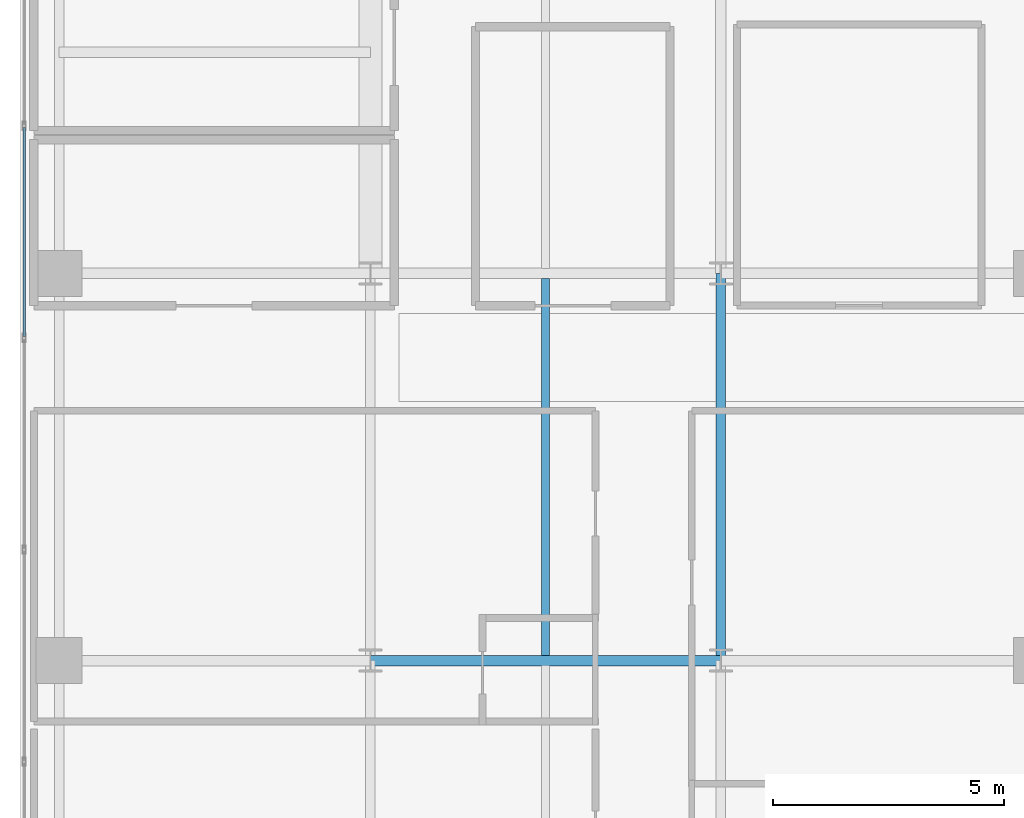
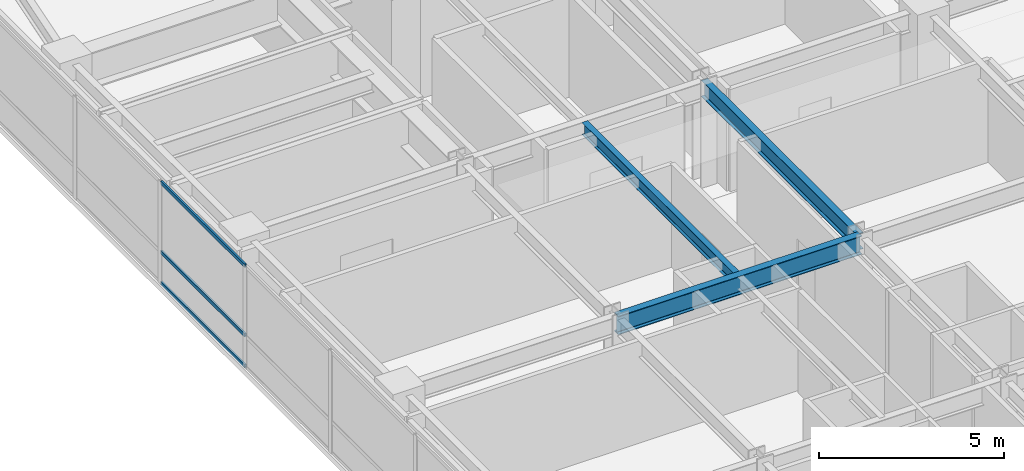
# One storey, part 9 of 37: 3 beams, 3 members, 1 element without a shape of its own.
"""IFC4 building model written with IfcOpenShell, lengths in metres."""

import ifcopenshell
import ifcopenshell.guid

model = None  # the IFC model being written
_history = None  # IfcOwnerHistory: only IFC2X3 demands one
_inside = {}  # id of a spatial element -> (the spatial element, [elements in it])
_under = {}  # id of a project, library or spatial element -> (it, [spatial elements below it])
_declared = {}  # id of a project -> (the project, [libraries it declares])
_typed = {}  # id of a type object -> (the type object, [elements of that type])
_made_of = {}  # id of a material, layer set ... -> (it, [elements and type objects made of it])


def new_model(schema):
    """Start an empty IFC model of exactly this schema.

    Asked for "IFC4X3", IfcOpenShell would pick the latest addendum, in which some entities
    have other attributes; the version numbers below select the first issue.
    IFC2X3 requires an IfcOwnerHistory on every rooted entity: one is made here for all.
    """
    global model, _history
    if schema == "IFC4X3":
        model = ifcopenshell.file(schema_version=(4, 3, 0, 0))
    else:
        model = ifcopenshell.file(schema=schema)
    _inside.clear()
    _under.clear()
    _declared.clear()
    _typed.clear()
    _made_of.clear()
    _history = None
    if model.schema == "IFC2X3":
        org = make("IfcOrganization", Name="unknown")
        user = make(
            "IfcPersonAndOrganization",
            ThePerson=make("IfcPerson", FamilyName="unknown"),
            TheOrganization=org,
        )
        app = make(
            "IfcApplication",
            ApplicationDeveloper=org,
            Version="unknown",
            ApplicationFullName="unknown",
            ApplicationIdentifier="unknown",
        )
        _history = make(
            "IfcOwnerHistory",
            OwningUser=user,
            OwningApplication=app,
            ChangeAction="ADDED",
            CreationDate=0,
        )
    return model


def make(cls, **values):
    """One entity of the class cls with the attributes given. An attribute that is None is left unset."""
    return model.create_entity(
        cls, **{name: value for name, value in values.items() if value is not None}
    )


def rooted(cls, **values):
    """An entity with a GlobalId (a new one), such as an element, a storey or a relation."""
    return make(cls, GlobalId=ifcopenshell.guid.new(), OwnerHistory=_history, **values)


def si_unit(unit_type, name, prefix=None):
    """IfcSIUnit, for example si_unit("LENGTHUNIT", "METRE", prefix="MILLI")."""
    return make("IfcSIUnit", UnitType=unit_type, Prefix=prefix, Name=name)


def assignment(units):
    """IfcUnitAssignment: the units of a project."""
    return None if units is None else make("IfcUnitAssignment", Units=units)


def point(xyz):
    """IfcCartesianPoint."""
    return None if xyz is None else make("IfcCartesianPoint", Coordinates=xyz)


def direction(xyz):
    """IfcDirection."""
    return None if xyz is None else make("IfcDirection", DirectionRatios=xyz)


def frame(location, z_axis=None, x_axis=None):
    """IfcAxis2Placement3D, a coordinate frame: its origin and axes. An axis left out is left unset."""
    return make(
        "IfcAxis2Placement3D",
        Location=point(location),
        Axis=direction(z_axis),
        RefDirection=direction(x_axis),
    )


def frame_2d(location, x_axis=None):
    """IfcAxis2Placement2D, a coordinate frame in the plane: its origin and x axis."""
    return make(
        "IfcAxis2Placement2D", Location=point(location), RefDirection=direction(x_axis)
    )


def origin():
    """The frame at (0, 0, 0) with its axes left unset."""
    return frame((0.0, 0.0, 0.0))


def origin_2d():
    """The frame at (0, 0) in the plane with its x axis left unset."""
    return frame_2d((0.0, 0.0))


def place(relative_to, where):
    """IfcLocalPlacement: puts the frame where relative to a parent placement (None: the world)."""
    return make(
        "IfcLocalPlacement", PlacementRelTo=relative_to, RelativePlacement=where
    )


def context(
    kind, dimensions, precision=None, world=None, true_north=None, identifier=None
):
    """IfcGeometricRepresentationContext, for example the 3D "Model" context."""
    return make(
        "IfcGeometricRepresentationContext",
        ContextIdentifier=identifier,
        ContextType=kind,
        CoordinateSpaceDimension=dimensions,
        Precision=precision,
        WorldCoordinateSystem=world,
        TrueNorth=true_north,
    )


def subcontext(parent, identifier, kind, view, scale=None):
    """IfcGeometricRepresentationSubContext, for example "Body" below "Model"."""
    return make(
        "IfcGeometricRepresentationSubContext",
        ContextIdentifier=identifier,
        ContextType=kind,
        ParentContext=parent,
        TargetScale=scale,
        TargetView=view,
    )


def project(units=None, contexts=None):
    """IfcProject with its units and contexts."""
    return rooted(
        "IfcProject",
        Name="project",
        RepresentationContexts=contexts,
        UnitsInContext=assignment(units),
    )


def spatial(cls, under=None, at=None, **own):
    """A site, building, storey or space (cls), placed at a placement, below another one or the project."""
    s = rooted(cls, ObjectPlacement=at, **own)
    if under is not None:
        _under.setdefault(under.id(), (under, []))[1].append(s)
    return s


def profile(cls, at=None, kind="AREA", **sizes):
    """A parametric profile (cls). Its sizes go by their IFC names, for example OverallWidth=200.0."""
    return make(cls, ProfileType=kind, Position=at, **sizes)


def hollow_rectangle(**sizes):
    """IfcRectangleHollowProfileDef."""
    return profile("IfcRectangleHollowProfileDef", **sizes)


def i_section(**sizes):
    """IfcIShapeProfileDef."""
    return profile("IfcIShapeProfileDef", **sizes)


def extrude(swept, where, along, depth):
    """IfcExtrudedAreaSolid: the profile swept, set in the frame where, extruded along a direction by depth."""
    return make(
        "IfcExtrudedAreaSolid",
        SweptArea=swept,
        Position=where,
        ExtrudedDirection=direction(along),
        Depth=depth,
    )


def shape(context_of_items, identifier, shape_type, items):
    """IfcShapeRepresentation: the items that make up one representation, for example the "Body"."""
    return make(
        "IfcShapeRepresentation",
        ContextOfItems=context_of_items,
        RepresentationIdentifier=identifier,
        RepresentationType=shape_type,
        Items=items,
    )


def source(mapping_origin, context_of_items, identifier, shape_type, items):
    """IfcRepresentationMap: a shape defined once, which mapped items show again and again."""
    return make(
        "IfcRepresentationMap",
        MappingOrigin=mapping_origin,
        MappedRepresentation=shape(context_of_items, identifier, shape_type, items),
    )


def transform(
    local_origin,
    x_axis=None,
    y_axis=None,
    z_axis=None,
    scale=None,
    scale2=None,
    scale3=None,
    uniform=True,
):
    """IfcCartesianTransformationOperator3D, or its non-uniform kind. x_axis, y_axis, z_axis: its Axis1, 2, 3."""
    if uniform:
        return make(
            "IfcCartesianTransformationOperator3D",
            Axis1=direction(x_axis),
            Axis2=direction(y_axis),
            LocalOrigin=point(local_origin),
            Scale=scale,
            Axis3=direction(z_axis),
        )
    return make(
        "IfcCartesianTransformationOperator3DnonUniform",
        Axis1=direction(x_axis),
        Axis2=direction(y_axis),
        LocalOrigin=point(local_origin),
        Scale=scale,
        Axis3=direction(z_axis),
        Scale2=scale2,
        Scale3=scale3,
    )


def mapped(mapping_source, mapping_target):
    """IfcMappedItem: shows the shape of a source again, moved by a transform."""
    return make(
        "IfcMappedItem", MappingSource=mapping_source, MappingTarget=mapping_target
    )


def material(Name=None, Category=None):
    """IfcMaterial."""
    return make("IfcMaterial", Name=Name, Category=Category)


def layer(
    of_material, thickness, ventilated=None, Name=None, Category=None, Priority=None
):
    """IfcMaterialLayer: one layer of a wall or slab, of a material (None: an air gap)."""
    return make(
        "IfcMaterialLayer",
        Material=of_material,
        LayerThickness=thickness,
        IsVentilated=ventilated,
        Name=Name,
        Category=Category,
        Priority=Priority,
    )


def layer_set(layers, Name=None):
    """IfcMaterialLayerSet."""
    return make("IfcMaterialLayerSet", MaterialLayers=layers, LayerSetName=Name)


def material_profile(
    of_material, cross_section, Name=None, Category=None, Priority=None
):
    """IfcMaterialProfile: a cross section and its material."""
    return make(
        "IfcMaterialProfile",
        Name=Name,
        Material=of_material,
        Profile=cross_section,
        Priority=Priority,
        Category=Category,
    )


def profile_set(profiles, Name=None, composite=None):
    """IfcMaterialProfileSet."""
    return make(
        "IfcMaterialProfileSet",
        Name=Name,
        MaterialProfiles=profiles,
        CompositeProfile=composite,
    )


def made_of(thing, what):
    """Note that an element or type object is made of a material, layer set ...; save() writes the relation."""
    if what is not None:
        _made_of.setdefault(what.id(), (what, []))[1].append(thing)
    return thing


def type_object(cls, material=None, **own):
    """A type object (cls), such as IfcWallType, which elements share."""
    return made_of(rooted(cls, **own), material)


def type_shapes(of_type, sources):
    """Give a type object the sources (RepresentationMaps) that its elements show as mapped items."""
    of_type.RepresentationMaps = sources


def element(
    cls,
    number,
    at=None,
    inside=None,
    cuts=None,
    type_object=None,
    material=None,
    context=None,
    identifier="Body",
    shape_type=None,
    held_by="IfcProductDefinitionShape",
    body=None,
    shapes=None,
    **own,
):
    """One element of the class cls, such as IfcWall. Its Tag is "e" and its number.

    at: its placement. inside: the storey or other place that contains it. cuts: it is an
    opening in that element (IfcRelVoidsElement). A single representation is given by context,
    identifier, shape_type and body (its items); several are given by shapes. held_by: the class
    of the entity that holds the representations. save() writes the other relations.
    """
    e = rooted(cls, Tag="e%d" % number, ObjectPlacement=at, **own)
    if body is not None:
        shapes = [shape(context, identifier, shape_type, body)]
    if shapes is not None:
        e.Representation = make(held_by, Representations=shapes)
    if inside is not None:
        _inside.setdefault(inside.id(), (inside, []))[1].append(e)
    if cuts is not None:
        rooted(
            "IfcRelVoidsElement", RelatingBuildingElement=cuts, RelatedOpeningElement=e
        )
    if type_object is not None:
        _typed.setdefault(type_object.id(), (type_object, []))[1].append(e)
    return made_of(e, material)


def aggregate(whole, parts):
    """IfcRelAggregates: a whole, such as a stair, and the parts it consists of."""
    return rooted("IfcRelAggregates", RelatingObject=whole, RelatedObjects=parts)


def save(model, path):
    """Write the relations noted so far, then the file.

    IfcRelAggregates (storeys below a building ...), IfcRelContainedInSpatialStructure (elements
    in a storey), IfcRelDefinesByType, IfcRelAssociatesMaterial and IfcRelDeclares: one each for
    every whole, place, type object, material and project.
    """
    for whole, parts in _under.values():
        aggregate(whole, parts)
    for where, things in _inside.values():
        rooted(
            "IfcRelContainedInSpatialStructure",
            RelatedElements=things,
            RelatingStructure=where,
        )
    for kind, things in _typed.values():
        rooted("IfcRelDefinesByType", RelatedObjects=things, RelatingType=kind)
    for what, things in _made_of.values():
        rooted("IfcRelAssociatesMaterial", RelatedObjects=things, RelatingMaterial=what)
    for by, libraries in _declared.values():
        rooted("IfcRelDeclares", RelatingContext=by, RelatedDefinitions=libraries)
    model.write(path)


model = new_model("IFC4")

# Units and contexts
model_context = context("Model", 3, precision=1e-05, world=origin(), true_north=direction((0.0, 1.0)))
body_context = subcontext(model_context, "Body", "Model", "MODEL_VIEW")
ifc_project = project(units=[si_unit("LENGTHUNIT", "METRE"), si_unit("AREAUNIT", "SQUARE_METRE"), si_unit("VOLUMEUNIT", "CUBIC_METRE"), si_unit("PLANEANGLEUNIT", "RADIAN"), si_unit("MASSUNIT", "GRAM", prefix="KILO")], contexts=[model_context])

# Site, building, storey
site_placement = place(None, origin())
site = spatial("IfcSite", under=ifc_project, at=site_placement, CompositionType="ELEMENT")
building_placement = place(site_placement, origin())
building = spatial("IfcBuilding", under=site, at=building_placement, Name="Tolvann Quenvar Hotel", CompositionType="ELEMENT")
storey_placement = place(building_placement, frame((0.0, 0.0, 53.300048828125)))
storey = spatial("IfcBuildingStorey", under=building, at=storey_placement, Name="L12", CompositionType="ELEMENT", Elevation=53.300048828125)

# Beams
ifc_material_1 = material(Name="Steel Grade 350", Category="steel")
ifc_material_profile_1 = material_profile(ifc_material_1, i_section(OverallWidth=0.22900390625, OverallDepth=0.612060546875, WebThickness=0.011962890625, FlangeThickness=0.01953125, FilletRadius=0.013916015625, at=origin_2d()), Name="610UB125")
ifc_profile_set_1 = profile_set([ifc_material_profile_1], Name="Steel Grade 350")
beam_type_1 = type_object("IfcBeamType", Name="BM_GIRD_610UB125", PredefinedType="BEAM", material=ifc_profile_set_1)
shared_shape_1 = source(origin(), body_context, "Body", "SweptSolid", [
    extrude(i_section(OverallWidth=0.22900390625, OverallDepth=0.612060546875, WebThickness=0.011962890625, FlangeThickness=0.01953125, FilletRadius=0.013916015625, at=origin_2d()), origin(), (0.0, 0.0, 1.0), 7.599853515625),
])
type_shapes(beam_type_1, [shared_shape_1])
beam_1_placement = place(storey_placement, frame((7.60009765625, 16.0, 3.06396484375), z_axis=(1.0, 0.0, 0.0), x_axis=(0.0, 1.0, 0.0)))
element("IfcBeam", 1, at=beam_1_placement, inside=storey, type_object=beam_type_1, Name="BM-L12-EW-4-C4-D4", PredefinedType="BEAM", context=body_context, shape_type="MappedRepresentation", body=[
    mapped(shared_shape_1, transform((0.0, 0.0, 0.0), x_axis=(1.0, 0.0, 0.0), y_axis=(0.0, 1.0, 0.0), z_axis=(0.0, 0.0, 1.0), scale=1.0)),
])
ifc_material_profile_2 = material_profile(ifc_material_1, i_section(OverallWidth=0.208984375, OverallDepth=0.532958984375, WebThickness=0.01025390625, FlangeThickness=0.015625, FilletRadius=0.013916015625, at=origin_2d()), Name="530UB92")
ifc_profile_set_2 = profile_set([ifc_material_profile_2], Name="Steel Grade 350")
beam_type_2 = type_object("IfcBeamType", Name="BM_GIRD_530UB92", PredefinedType="BEAM", material=ifc_profile_set_2)
shared_shape_2 = source(origin(), body_context, "Body", "SweptSolid", [
    extrude(i_section(OverallWidth=0.208984375, OverallDepth=0.532958984375, WebThickness=0.01025390625, FlangeThickness=0.015625, FilletRadius=0.013916015625, at=origin_2d()), origin(), (0.0, 0.0, 1.0), 8.39990234375),
])
type_shapes(beam_type_2, [shared_shape_2])
beam_2_placement = place(storey_placement, frame((15.199951171875, 16.0, 3.103515625), z_axis=(0.0, 1.0, 0.0), x_axis=(-1.0, 0.0, 0.0)))
element("IfcBeam", 2, at=beam_2_placement, inside=storey, type_object=beam_type_2, Name="BM-L12-NS-D4-D5", PredefinedType="BEAM", context=body_context, shape_type="MappedRepresentation", body=[
    mapped(shared_shape_2, transform((0.0, 0.0, 0.0), x_axis=(1.0, 0.0, 0.0), y_axis=(0.0, 1.0, 0.0), z_axis=(0.0, 0.0, 1.0), scale=1.0)),
])
ifc_material_profile_3 = material_profile(ifc_material_1, i_section(OverallWidth=0.177978515625, OverallDepth=0.406005859375, WebThickness=0.0078125, FlangeThickness=0.0126953125, FilletRadius=0.011474609375, at=origin_2d()), Name="410UB60")
ifc_profile_set_3 = profile_set([ifc_material_profile_3], Name="Steel Grade 350")
beam_type_3 = type_object("IfcBeamType", Name="BM_JOIST_410UB60", PredefinedType="JOIST", material=ifc_profile_set_3)
shared_shape_3 = source(origin(), body_context, "Body", "SweptSolid", [
    extrude(i_section(OverallWidth=0.177978515625, OverallDepth=0.406005859375, WebThickness=0.0078125, FlangeThickness=0.0126953125, FilletRadius=0.011474609375, at=origin_2d()), origin(), (0.0, 0.0, 1.0), 8.18310546875),
])
type_shapes(beam_type_3, [shared_shape_3])
beam_3_placement = place(storey_placement, frame((11.39990234375, 16.1083984375, 3.1669921875), z_axis=(0.0, 1.0, 0.0), x_axis=(-1.0, 0.0, 0.0)))
element("IfcBeam", 3, at=beam_3_placement, inside=storey, type_object=beam_type_3, Name="BJ-L12-114-160", PredefinedType="JOIST", context=body_context, shape_type="MappedRepresentation", body=[
    mapped(shared_shape_3, transform((0.0, 0.0, 0.0), x_axis=(1.0, 0.0, 0.0), y_axis=(0.0, 1.0, 0.0), z_axis=(0.0, 0.0, 1.0), scale=1.0)),
])

# Curtain wall, members
ifc_material_2 = material(Name="Thermally broken anodised architectural aluminium 6063-T6 and laminated low-E glass", Category="aluminium")
ifc_layer = layer(ifc_material_2, 0.179931640625)
ifc_layer_set = layer_set([ifc_layer], Name="Thermally broken anodised architectural aluminium 6063-T6 and laminated low-E glass")
curtain_wall_type = type_object("IfcCurtainWallType", Name="CW_SYS_BAND_04", PredefinedType="USERDEFINED", material=ifc_layer_set)
curtain_wall_placement = place(storey_placement, origin())
curtain_wall = element("IfcCurtainWall", 4, at=curtain_wall_placement, inside=storey, type_object=curtain_wall_type, Name="Curtain Wall CW-BAND-04 (CWR-L12-E23)", ObjectType="UNITISED CURTAIN WALL", PredefinedType="USERDEFINED")
ifc_material_3 = material(Name="Anodised architectural aluminium 6063-T6 framing", Category="aluminium")
ifc_material_profile_4 = material_profile(ifc_material_3, hollow_rectangle(XDim=0.06005859375, YDim=0.1201171875, WallThickness=0.00341796875, at=origin_2d()), Name="120x60x3.5RHS")
ifc_profile_set_4 = profile_set([ifc_material_profile_4], Name="Anodised architectural aluminium 6063-T6 framing")
member_type = type_object("IfcMemberType", Name="CW_TRAN_120x60", PredefinedType="USERDEFINED", material=ifc_profile_set_4)
shared_shape_4 = source(origin(), body_context, "Body", "SweptSolid", [
    extrude(hollow_rectangle(XDim=0.06005859375, YDim=0.1201171875, WallThickness=0.00341796875, at=origin_2d()), origin(), (0.0, 0.0, 1.0), 4.52587890625),
])
type_shapes(member_type, [shared_shape_4])
member_1_placement = place(storey_placement, frame((0.090087890625, 27.560791015625, 0.030029296875), z_axis=(0.0, -1.0, 0.0), x_axis=(1.0, 0.0, 0.0)))
member_1 = element("IfcMember", 5, at=member_1_placement, type_object=member_type, Name="CW-BAND-04 transom 4.1", ObjectType="TRANSOM", PredefinedType="USERDEFINED", context=body_context, shape_type="MappedRepresentation", body=[
    mapped(shared_shape_4, transform((0.0, 0.0, 0.0), x_axis=(1.0, 0.0, 0.0), y_axis=(0.0, 1.0, 0.0), z_axis=(0.0, 0.0, 1.0), scale=1.0)),
])
member_2_placement = place(storey_placement, frame((0.090087890625, 27.560791015625, 1.050048828125), z_axis=(0.0, -1.0, 0.0), x_axis=(1.0, 0.0, 0.0)))
member_2 = element("IfcMember", 6, at=member_2_placement, type_object=member_type, Name="CW-BAND-04 transom 4.2", ObjectType="TRANSOM", PredefinedType="USERDEFINED", context=body_context, shape_type="MappedRepresentation", body=[
    mapped(shared_shape_4, transform((0.0, 0.0, 0.0), x_axis=(1.0, 0.0, 0.0), y_axis=(0.0, 1.0, 0.0), z_axis=(0.0, 0.0, 1.0), scale=1.0)),
])
member_3_placement = place(storey_placement, frame((0.090087890625, 27.560791015625, 3.33984375), z_axis=(0.0, -1.0, 0.0), x_axis=(1.0, 0.0, 0.0)))
member_3 = element("IfcMember", 7, at=member_3_placement, type_object=member_type, Name="CW-BAND-04 transom 4.3", ObjectType="TRANSOM", PredefinedType="USERDEFINED", context=body_context, shape_type="MappedRepresentation", body=[
    mapped(shared_shape_4, transform((0.0, 0.0, 0.0), x_axis=(1.0, 0.0, 0.0), y_axis=(0.0, 1.0, 0.0), z_axis=(0.0, 0.0, 1.0), scale=1.0)),
])
aggregate(curtain_wall, [member_1, member_2, member_3])

save(model, "model.ifc")
